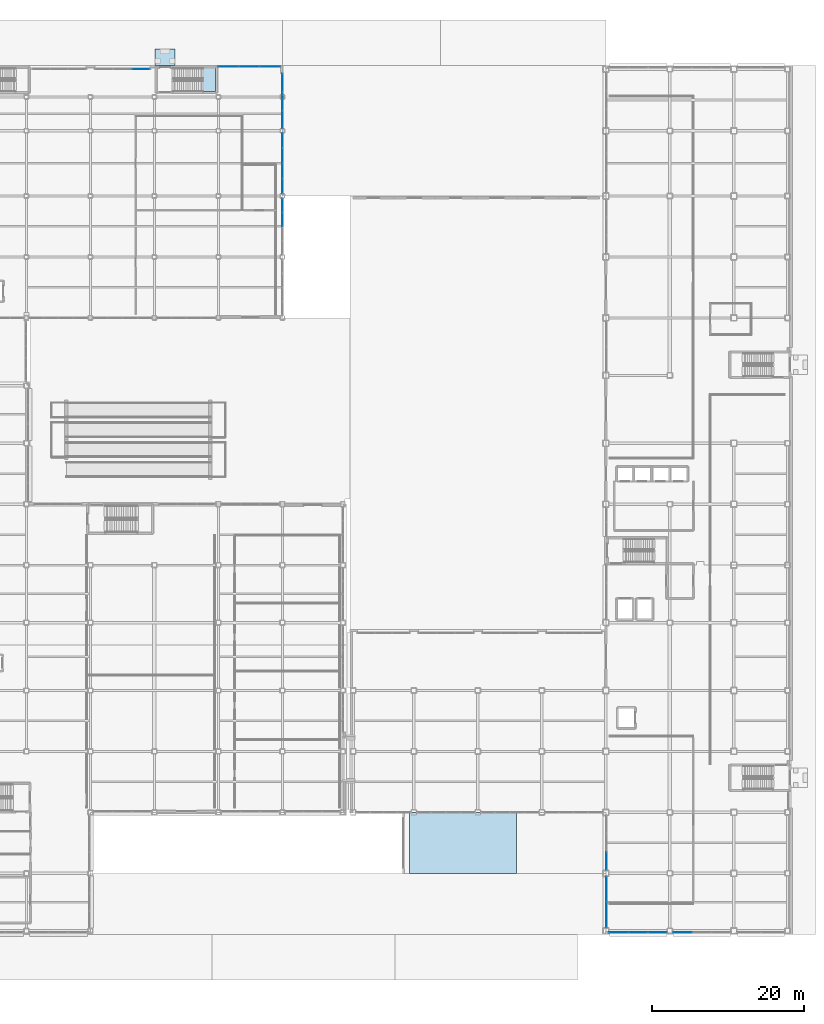
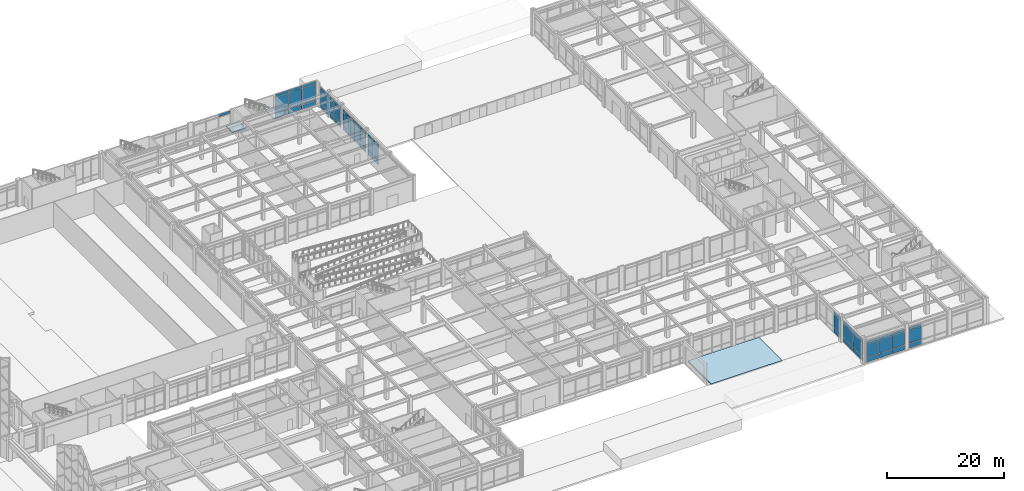
# One storey, part 119 of 165: 58 plates, 3 slabs, 10 elements without a shape of their own.
"""IFC4 building model written with IfcOpenShell, lengths in metres."""

from ifc_helpers import new_model, si_unit, direction, frame, origin, origin_2d, place, context, subcontext, project, spatial, polyline, rectangle, outline, extrude, material, layer, layer_set, type_object, element, aggregate, save


model = new_model("IFC4")

# Units and contexts
model_context = context("Model", 3, precision=1e-05, world=origin(), true_north=direction((0.0, 1.0)))
body_context = subcontext(model_context, "Body", "Model", "MODEL_VIEW")
ifc_project = project(units=[si_unit("LENGTHUNIT", "METRE"), si_unit("AREAUNIT", "SQUARE_METRE"), si_unit("VOLUMEUNIT", "CUBIC_METRE"), si_unit("PLANEANGLEUNIT", "RADIAN"), si_unit("MASSUNIT", "GRAM", prefix="KILO")], contexts=[model_context])

# Site, building, storey
site_placement = place(None, origin())
site = spatial("IfcSite", under=ifc_project, at=site_placement, CompositionType="ELEMENT")
building_placement = place(site_placement, origin())
building = spatial("IfcBuilding", under=site, at=building_placement, Name="Kazehara Bluff Congress Hotel", CompositionType="ELEMENT")
storey_placement = place(building_placement, origin())
storey = spatial("IfcBuildingStorey", under=building, at=storey_placement, Name="L00", CompositionType="ELEMENT", Elevation=0.0)

# Curtain wall, plates
ifc_material_1 = material(Name="Anodised aluminium", Category="aluminium")
ifc_layer_1 = layer(ifc_material_1, 0.159912109375)
ifc_layer_set_1 = layer_set([ifc_layer_1], Name="Anodised aluminium")
curtain_wall_type_1 = type_object("IfcCurtainWallType", Name="TP-CW-40", PredefinedType="NOTDEFINED", material=ifc_layer_set_1)
curtain_wall_1_placement = place(storey_placement, origin())
curtain_wall_1 = element("IfcCurtainWall", 1, at=curtain_wall_1_placement, inside=storey, type_object=curtain_wall_type_1, Name="L00 curtain wall CW-40 CW-V3-L00-X10125-8918", PredefinedType="NOTDEFINED")
ifc_material_2 = material(Name="Insulated low-E double glazing", Category="glass")
ifc_layer_2 = layer(ifc_material_2, 0.031982421875)
ifc_layer_set_2 = layer_set([ifc_layer_2], Name="Insulated low-E double glazing")
plate_type = type_object("IfcPlateType", Name="TP-CWP-02", PredefinedType="CURTAIN_PANEL", material=ifc_layer_set_2)
plate_1_placement = place(storey_placement, frame((101.25, 93.831298828125, 0.06494140625), z_axis=(0.0, 0.0, 1.0), x_axis=(0.0, 1.0, 0.0)))
plate_1 = element("IfcPlate", 2, at=plate_1_placement, type_object=plate_type, Name="CW-40 panel 3.1", PredefinedType="CURTAIN_PANEL", context=body_context, shape_type="SweptSolid", body=[
    extrude(rectangle(XDim=1.79248046875, YDim=0.031982421875, at=origin_2d()), origin(), (0.0, 0.0, 1.0), 0.952392578125),
])
plate_2_placement = place(storey_placement, frame((101.25, 93.831298828125, 1.08251953125), z_axis=(0.0, 0.0, 1.0), x_axis=(0.0, 1.0, 0.0)))
plate_2 = element("IfcPlate", 3, at=plate_2_placement, type_object=plate_type, Name="CW-40 panel 3.2", PredefinedType="CURTAIN_PANEL", context=body_context, shape_type="SweptSolid", body=[
    extrude(rectangle(XDim=1.79248046875, YDim=0.031982421875, at=origin_2d()), origin(), (0.0, 0.0, 1.0), 2.7099609375),
])
plate_3_placement = place(storey_placement, frame((101.25, 93.831298828125, 3.857421875), z_axis=(0.0, 0.0, 1.0), x_axis=(0.0, 1.0, 0.0)))
plate_3 = element("IfcPlate", 4, at=plate_3_placement, type_object=plate_type, Name="CW-40 panel 3.3", PredefinedType="CURTAIN_PANEL", context=body_context, shape_type="SweptSolid", body=[
    extrude(rectangle(XDim=1.79248046875, YDim=0.031982421875, at=origin_2d()), origin(), (0.0, 0.0, 1.0), 0.552490234375),
])
plate_4_placement = place(storey_placement, frame((101.25, 95.67626953125, 0.06494140625), z_axis=(0.0, 0.0, 1.0), x_axis=(0.0, 1.0, 0.0)))
plate_4 = element("IfcPlate", 5, at=plate_4_placement, type_object=plate_type, Name="CW-40 panel 4.1", PredefinedType="CURTAIN_PANEL", context=body_context, shape_type="SweptSolid", body=[
    extrude(rectangle(XDim=1.757568359375, YDim=0.031982421875, at=origin_2d()), origin(), (0.0, 0.0, 1.0), 0.952392578125),
])
plate_5_placement = place(storey_placement, frame((101.25, 95.67626953125, 1.08251953125), z_axis=(0.0, 0.0, 1.0), x_axis=(0.0, 1.0, 0.0)))
plate_5 = element("IfcPlate", 6, at=plate_5_placement, type_object=plate_type, Name="CW-40 panel 4.2", PredefinedType="CURTAIN_PANEL", context=body_context, shape_type="SweptSolid", body=[
    extrude(rectangle(XDim=1.757568359375, YDim=0.031982421875, at=origin_2d()), origin(), (0.0, 0.0, 1.0), 2.7099609375),
])
plate_6_placement = place(storey_placement, frame((101.25, 95.67626953125, 3.857421875), z_axis=(0.0, 0.0, 1.0), x_axis=(0.0, 1.0, 0.0)))
plate_6 = element("IfcPlate", 7, at=plate_6_placement, type_object=plate_type, Name="CW-40 panel 4.3", PredefinedType="CURTAIN_PANEL", context=body_context, shape_type="SweptSolid", body=[
    extrude(rectangle(XDim=1.757568359375, YDim=0.031982421875, at=origin_2d()), origin(), (0.0, 0.0, 1.0), 0.552490234375),
])
aggregate(curtain_wall_1, [plate_1, plate_2, plate_3, plate_4, plate_5, plate_6])

ifc_material_3 = material(Name="Anodised aluminium", Category="aluminium")
ifc_layer_3 = layer(ifc_material_3, 0.159912109375)
ifc_layer_set_3 = layer_set([ifc_layer_3], Name="Anodised aluminium")
curtain_wall_type_2 = type_object("IfcCurtainWallType", Name="TP-CW-41", PredefinedType="NOTDEFINED", material=ifc_layer_set_3)
curtain_wall_2_placement = place(storey_placement, origin())
curtain_wall_2 = element("IfcCurtainWall", 8, at=curtain_wall_2_placement, inside=storey, type_object=curtain_wall_type_2, Name="L00 curtain wall CW-41 CW-V3-L00-X10125-9718", PredefinedType="NOTDEFINED")
plate_7_placement = place(storey_placement, frame((101.25, 98.1923828125, 0.06494140625), z_axis=(0.0, 0.0, 1.0), x_axis=(0.0, 1.0, 0.0)))
plate_7 = element("IfcPlate", 9, at=plate_7_placement, type_object=plate_type, Name="CW-41 panel 1.1", PredefinedType="CURTAIN_PANEL", context=body_context, shape_type="SweptSolid", body=[
    extrude(rectangle(XDim=1.89501953125, YDim=0.031982421875, at=origin_2d()), origin(), (0.0, 0.0, 1.0), 0.952392578125),
])
plate_8_placement = place(storey_placement, frame((101.25, 98.1923828125, 1.08251953125), z_axis=(0.0, 0.0, 1.0), x_axis=(0.0, 1.0, 0.0)))
plate_8 = element("IfcPlate", 10, at=plate_8_placement, type_object=plate_type, Name="CW-41 panel 1.2", PredefinedType="CURTAIN_PANEL", context=body_context, shape_type="SweptSolid", body=[
    extrude(rectangle(XDim=1.89501953125, YDim=0.031982421875, at=origin_2d()), origin(), (0.0, 0.0, 1.0), 2.7099609375),
])
plate_9_placement = place(storey_placement, frame((101.25, 98.1923828125, 3.857421875), z_axis=(0.0, 0.0, 1.0), x_axis=(0.0, 1.0, 0.0)))
plate_9 = element("IfcPlate", 11, at=plate_9_placement, type_object=plate_type, Name="CW-41 panel 1.3", PredefinedType="CURTAIN_PANEL", context=body_context, shape_type="SweptSolid", body=[
    extrude(rectangle(XDim=1.89501953125, YDim=0.031982421875, at=origin_2d()), origin(), (0.0, 0.0, 1.0), 0.552490234375),
])
plate_10_placement = place(storey_placement, frame((101.25, 100.175048828125, 0.06494140625), z_axis=(0.0, 0.0, 1.0), x_axis=(0.0, 1.0, 0.0)))
plate_10 = element("IfcPlate", 12, at=plate_10_placement, type_object=plate_type, Name="CW-41 panel 2.1", PredefinedType="CURTAIN_PANEL", context=body_context, shape_type="SweptSolid", body=[
    extrude(rectangle(XDim=1.929931640625, YDim=0.031982421875, at=origin_2d()), origin(), (0.0, 0.0, 1.0), 0.952392578125),
])
plate_11_placement = place(storey_placement, frame((101.25, 100.175048828125, 1.08251953125), z_axis=(0.0, 0.0, 1.0), x_axis=(0.0, 1.0, 0.0)))
plate_11 = element("IfcPlate", 13, at=plate_11_placement, type_object=plate_type, Name="CW-41 panel 2.2", PredefinedType="CURTAIN_PANEL", context=body_context, shape_type="SweptSolid", body=[
    extrude(rectangle(XDim=1.929931640625, YDim=0.031982421875, at=origin_2d()), origin(), (0.0, 0.0, 1.0), 2.7099609375),
])
plate_12_placement = place(storey_placement, frame((101.25, 100.175048828125, 3.857421875), z_axis=(0.0, 0.0, 1.0), x_axis=(0.0, 1.0, 0.0)))
plate_12 = element("IfcPlate", 14, at=plate_12_placement, type_object=plate_type, Name="CW-41 panel 2.3", PredefinedType="CURTAIN_PANEL", context=body_context, shape_type="SweptSolid", body=[
    extrude(rectangle(XDim=1.929931640625, YDim=0.031982421875, at=origin_2d()), origin(), (0.0, 0.0, 1.0), 0.552490234375),
])
plate_13_placement = place(storey_placement, frame((101.25, 102.175048828125, 0.06494140625), z_axis=(0.0, 0.0, 1.0), x_axis=(0.0, 1.0, 0.0)))
plate_13 = element("IfcPlate", 15, at=plate_13_placement, type_object=plate_type, Name="CW-41 panel 3.1", PredefinedType="CURTAIN_PANEL", context=body_context, shape_type="SweptSolid", body=[
    extrude(rectangle(XDim=1.929931640625, YDim=0.031982421875, at=origin_2d()), origin(), (0.0, 0.0, 1.0), 0.952392578125),
])
plate_14_placement = place(storey_placement, frame((101.25, 102.175048828125, 1.08251953125), z_axis=(0.0, 0.0, 1.0), x_axis=(0.0, 1.0, 0.0)))
plate_14 = element("IfcPlate", 16, at=plate_14_placement, type_object=plate_type, Name="CW-41 panel 3.2", PredefinedType="CURTAIN_PANEL", context=body_context, shape_type="SweptSolid", body=[
    extrude(rectangle(XDim=1.929931640625, YDim=0.031982421875, at=origin_2d()), origin(), (0.0, 0.0, 1.0), 2.7099609375),
])
plate_15_placement = place(storey_placement, frame((101.25, 102.175048828125, 3.857421875), z_axis=(0.0, 0.0, 1.0), x_axis=(0.0, 1.0, 0.0)))
plate_15 = element("IfcPlate", 17, at=plate_15_placement, type_object=plate_type, Name="CW-41 panel 3.3", PredefinedType="CURTAIN_PANEL", context=body_context, shape_type="SweptSolid", body=[
    extrude(rectangle(XDim=1.929931640625, YDim=0.031982421875, at=origin_2d()), origin(), (0.0, 0.0, 1.0), 0.552490234375),
])
plate_16_placement = place(storey_placement, frame((101.25, 104.157470703125, 0.06494140625), z_axis=(0.0, 0.0, 1.0), x_axis=(0.0, 1.0, 0.0)))
plate_16 = element("IfcPlate", 18, at=plate_16_placement, type_object=plate_type, Name="CW-41 panel 4.1", PredefinedType="CURTAIN_PANEL", context=body_context, shape_type="SweptSolid", body=[
    extrude(rectangle(XDim=1.89501953125, YDim=0.031982421875, at=origin_2d()), origin(), (0.0, 0.0, 1.0), 0.952392578125),
])
plate_17_placement = place(storey_placement, frame((101.25, 104.157470703125, 1.08251953125), z_axis=(0.0, 0.0, 1.0), x_axis=(0.0, 1.0, 0.0)))
plate_17 = element("IfcPlate", 19, at=plate_17_placement, type_object=plate_type, Name="CW-41 panel 4.2", PredefinedType="CURTAIN_PANEL", context=body_context, shape_type="SweptSolid", body=[
    extrude(rectangle(XDim=1.89501953125, YDim=0.031982421875, at=origin_2d()), origin(), (0.0, 0.0, 1.0), 2.7099609375),
])
plate_18_placement = place(storey_placement, frame((101.25, 104.157470703125, 3.857421875), z_axis=(0.0, 0.0, 1.0), x_axis=(0.0, 1.0, 0.0)))
plate_18 = element("IfcPlate", 20, at=plate_18_placement, type_object=plate_type, Name="CW-41 panel 4.3", PredefinedType="CURTAIN_PANEL", context=body_context, shape_type="SweptSolid", body=[
    extrude(rectangle(XDim=1.89501953125, YDim=0.031982421875, at=origin_2d()), origin(), (0.0, 0.0, 1.0), 0.552490234375),
])
aggregate(curtain_wall_2, [plate_7, plate_8, plate_9, plate_10, plate_11, plate_12, plate_13, plate_14, plate_15, plate_16, plate_17, plate_18])

ifc_material_4 = material(Name="Anodised aluminium", Category="aluminium")
ifc_layer_4 = layer(ifc_material_4, 0.159912109375)
ifc_layer_set_4 = layer_set([ifc_layer_4], Name="Anodised aluminium")
curtain_wall_type_3 = type_object("IfcCurtainWallType", Name="TP-CW-42", PredefinedType="NOTDEFINED", material=ifc_layer_set_4)
curtain_wall_3_placement = place(storey_placement, origin())
curtain_wall_3 = element("IfcCurtainWall", 21, at=curtain_wall_3_placement, inside=storey, type_object=curtain_wall_type_3, Name="L00 curtain wall CW-42 CW-V3-L00-X10125-10572", PredefinedType="NOTDEFINED")
plate_19_placement = place(storey_placement, frame((101.25, 106.955078125, 0.06494140625), z_axis=(0.0, 0.0, 1.0), x_axis=(0.0, 1.0, 0.0)))
plate_19 = element("IfcPlate", 22, at=plate_19_placement, type_object=plate_type, Name="CW-42 panel 1.1", PredefinedType="CURTAIN_PANEL", context=body_context, shape_type="SweptSolid", body=[
    extrude(rectangle(XDim=2.320068359375, YDim=0.031982421875, at=origin_2d()), origin(), (0.0, 0.0, 1.0), 0.952392578125),
])
plate_20_placement = place(storey_placement, frame((101.25, 106.955078125, 1.08251953125), z_axis=(0.0, 0.0, 1.0), x_axis=(0.0, 1.0, 0.0)))
plate_20 = element("IfcPlate", 23, at=plate_20_placement, type_object=plate_type, Name="CW-42 panel 1.2", PredefinedType="CURTAIN_PANEL", context=body_context, shape_type="SweptSolid", body=[
    extrude(rectangle(XDim=2.320068359375, YDim=0.031982421875, at=origin_2d()), origin(), (0.0, 0.0, 1.0), 2.7099609375),
])
plate_21_placement = place(storey_placement, frame((101.25, 106.955078125, 3.857421875), z_axis=(0.0, 0.0, 1.0), x_axis=(0.0, 1.0, 0.0)))
plate_21 = element("IfcPlate", 24, at=plate_21_placement, type_object=plate_type, Name="CW-42 panel 1.3", PredefinedType="CURTAIN_PANEL", context=body_context, shape_type="SweptSolid", body=[
    extrude(rectangle(XDim=2.320068359375, YDim=0.031982421875, at=origin_2d()), origin(), (0.0, 0.0, 1.0), 0.552490234375),
])
plate_22_placement = place(storey_placement, frame((101.25, 109.362548828125, 0.06494140625), z_axis=(0.0, 0.0, 1.0), x_axis=(0.0, 1.0, 0.0)))
plate_22 = element("IfcPlate", 25, at=plate_22_placement, type_object=plate_type, Name="CW-42 panel 2.1", PredefinedType="CURTAIN_PANEL", context=body_context, shape_type="SweptSolid", body=[
    extrude(rectangle(XDim=2.35498046875, YDim=0.031982421875, at=origin_2d()), origin(), (0.0, 0.0, 1.0), 0.952392578125),
])
plate_23_placement = place(storey_placement, frame((101.25, 109.362548828125, 1.08251953125), z_axis=(0.0, 0.0, 1.0), x_axis=(0.0, 1.0, 0.0)))
plate_23 = element("IfcPlate", 26, at=plate_23_placement, type_object=plate_type, Name="CW-42 panel 2.2", PredefinedType="CURTAIN_PANEL", context=body_context, shape_type="SweptSolid", body=[
    extrude(rectangle(XDim=2.35498046875, YDim=0.031982421875, at=origin_2d()), origin(), (0.0, 0.0, 1.0), 2.7099609375),
])
plate_24_placement = place(storey_placement, frame((101.25, 109.362548828125, 3.857421875), z_axis=(0.0, 0.0, 1.0), x_axis=(0.0, 1.0, 0.0)))
plate_24 = element("IfcPlate", 27, at=plate_24_placement, type_object=plate_type, Name="CW-42 panel 2.3", PredefinedType="CURTAIN_PANEL", context=body_context, shape_type="SweptSolid", body=[
    extrude(rectangle(XDim=2.35498046875, YDim=0.031982421875, at=origin_2d()), origin(), (0.0, 0.0, 1.0), 0.552490234375),
])
plate_25_placement = place(storey_placement, frame((101.25, 111.77001953125, 0.06494140625), z_axis=(0.0, 0.0, 1.0), x_axis=(0.0, 1.0, 0.0)))
plate_25 = element("IfcPlate", 28, at=plate_25_placement, type_object=plate_type, Name="CW-42 panel 3.1", PredefinedType="CURTAIN_PANEL", context=body_context, shape_type="SweptSolid", body=[
    extrude(rectangle(XDim=2.320068359375, YDim=0.031982421875, at=origin_2d()), origin(), (0.0, 0.0, 1.0), 0.952392578125),
])
plate_26_placement = place(storey_placement, frame((101.25, 111.77001953125, 1.08251953125), z_axis=(0.0, 0.0, 1.0), x_axis=(0.0, 1.0, 0.0)))
plate_26 = element("IfcPlate", 29, at=plate_26_placement, type_object=plate_type, Name="CW-42 panel 3.2", PredefinedType="CURTAIN_PANEL", context=body_context, shape_type="SweptSolid", body=[
    extrude(rectangle(XDim=2.320068359375, YDim=0.031982421875, at=origin_2d()), origin(), (0.0, 0.0, 1.0), 2.7099609375),
])
plate_27_placement = place(storey_placement, frame((101.25, 111.77001953125, 3.857421875), z_axis=(0.0, 0.0, 1.0), x_axis=(0.0, 1.0, 0.0)))
plate_27 = element("IfcPlate", 30, at=plate_27_placement, type_object=plate_type, Name="CW-42 panel 3.3", PredefinedType="CURTAIN_PANEL", context=body_context, shape_type="SweptSolid", body=[
    extrude(rectangle(XDim=2.320068359375, YDim=0.031982421875, at=origin_2d()), origin(), (0.0, 0.0, 1.0), 0.552490234375),
])
aggregate(curtain_wall_3, [plate_19, plate_20, plate_21, plate_22, plate_23, plate_24, plate_25, plate_26, plate_27])

# Curtain wall, plate
ifc_material_5 = material(Name="Anodised aluminium", Category="aluminium")
ifc_layer_5 = layer(ifc_material_5, 0.159912109375)
ifc_layer_set_5 = layer_set([ifc_layer_5], Name="Anodised aluminium")
curtain_wall_type_4 = type_object("IfcCurtainWallType", Name="TP-CW-46", PredefinedType="NOTDEFINED", material=ifc_layer_set_5)
curtain_wall_4_placement = place(storey_placement, origin())
curtain_wall_4 = element("IfcCurtainWall", 31, at=curtain_wall_4_placement, inside=storey, type_object=curtain_wall_type_4, Name="L00 curtain wall CW-46 CW-V3-L00-Y11355-7660", PredefinedType="NOTDEFINED")
plate_28_placement = place(storey_placement, frame((82.665771484375, 113.550048828125, 4.517578125), z_axis=(0.0, 0.0, 1.0), x_axis=(1.0, 0.0, 0.0)))
plate_28 = element("IfcPlate", 32, at=plate_28_placement, type_object=plate_type, Name="CW-46 panel 3.3", PredefinedType="CURTAIN_PANEL", context=body_context, shape_type="SweptSolid", body=[
    extrude(rectangle(XDim=2.328369140625, YDim=0.031982421875, at=origin_2d()), origin(), (0.0, 0.0, 1.0), 0.552490234375),
])
aggregate(curtain_wall_4, [plate_28])

# Curtain wall, plates
ifc_material_6 = material(Name="Anodised aluminium", Category="aluminium")
ifc_layer_6 = layer(ifc_material_6, 0.159912109375)
ifc_layer_set_6 = layer_set([ifc_layer_6], Name="Anodised aluminium")
curtain_wall_type_5 = type_object("IfcCurtainWallType", Name="TP-CW-98", PredefinedType="NOTDEFINED", material=ifc_layer_set_6)
curtain_wall_5_placement = place(storey_placement, origin())
curtain_wall_5 = element("IfcCurtainWall", 33, at=curtain_wall_5_placement, inside=storey, type_object=curtain_wall_type_5, Name="L00 curtain wall CW-98 CW-ENC-V3-L00-9689-11388", PredefinedType="NOTDEFINED")
plate_29_placement = place(storey_placement, frame((94.154052734375, 113.8798828125, 0.06494140625), z_axis=(0.0, 0.0, 1.0), x_axis=(1.0, 0.0, 0.0)))
plate_29 = element("IfcPlate", 34, at=plate_29_placement, type_object=plate_type, Name="CW-98 panel 1.1", PredefinedType="CURTAIN_PANEL", context=body_context, shape_type="SweptSolid", body=[
    extrude(rectangle(XDim=2.6484375, YDim=0.031982421875, at=origin_2d()), origin(), (0.0, 0.0, 1.0), 0.952392578125),
])
plate_30_placement = place(storey_placement, frame((94.154052734375, 113.8798828125, 1.08251953125), z_axis=(0.0, 0.0, 1.0), x_axis=(1.0, 0.0, 0.0)))
plate_30 = element("IfcPlate", 35, at=plate_30_placement, type_object=plate_type, Name="CW-98 panel 1.2", PredefinedType="CURTAIN_PANEL", context=body_context, shape_type="SweptSolid", body=[
    extrude(rectangle(XDim=2.6484375, YDim=0.031982421875, at=origin_2d()), origin(), (0.0, 0.0, 1.0), 3.3701171875),
])
plate_31_placement = place(storey_placement, frame((94.154052734375, 113.8798828125, 4.517578125), z_axis=(0.0, 0.0, 1.0), x_axis=(1.0, 0.0, 0.0)))
plate_31 = element("IfcPlate", 36, at=plate_31_placement, type_object=plate_type, Name="CW-98 panel 1.3", PredefinedType="CURTAIN_PANEL", context=body_context, shape_type="SweptSolid", body=[
    extrude(rectangle(XDim=2.6484375, YDim=0.031982421875, at=origin_2d()), origin(), (0.0, 0.0, 1.0), 0.552490234375),
])
plate_32_placement = place(storey_placement, frame((96.889892578125, 113.8798828125, 0.06494140625), z_axis=(0.0, 0.0, 1.0), x_axis=(1.0, 0.0, 0.0)))
plate_32 = element("IfcPlate", 37, at=plate_32_placement, type_object=plate_type, Name="CW-98 panel 2.1", PredefinedType="CURTAIN_PANEL", context=body_context, shape_type="SweptSolid", body=[
    extrude(rectangle(XDim=2.683349609375, YDim=0.031982421875, at=origin_2d()), origin(), (0.0, 0.0, 1.0), 0.952392578125),
])
plate_33_placement = place(storey_placement, frame((96.889892578125, 113.8798828125, 1.08251953125), z_axis=(0.0, 0.0, 1.0), x_axis=(1.0, 0.0, 0.0)))
plate_33 = element("IfcPlate", 38, at=plate_33_placement, type_object=plate_type, Name="CW-98 panel 2.2", PredefinedType="CURTAIN_PANEL", context=body_context, shape_type="SweptSolid", body=[
    extrude(rectangle(XDim=2.683349609375, YDim=0.031982421875, at=origin_2d()), origin(), (0.0, 0.0, 1.0), 3.3701171875),
])
plate_34_placement = place(storey_placement, frame((96.889892578125, 113.8798828125, 4.517578125), z_axis=(0.0, 0.0, 1.0), x_axis=(1.0, 0.0, 0.0)))
plate_34 = element("IfcPlate", 39, at=plate_34_placement, type_object=plate_type, Name="CW-98 panel 2.3", PredefinedType="CURTAIN_PANEL", context=body_context, shape_type="SweptSolid", body=[
    extrude(rectangle(XDim=2.683349609375, YDim=0.031982421875, at=origin_2d()), origin(), (0.0, 0.0, 1.0), 0.552490234375),
])
plate_35_placement = place(storey_placement, frame((99.625732421875, 113.8798828125, 0.06494140625), z_axis=(0.0, 0.0, 1.0), x_axis=(1.0, 0.0, 0.0)))
plate_35 = element("IfcPlate", 40, at=plate_35_placement, type_object=plate_type, Name="CW-98 panel 3.1", PredefinedType="CURTAIN_PANEL", context=body_context, shape_type="SweptSolid", body=[
    extrude(rectangle(XDim=2.6484375, YDim=0.031982421875, at=origin_2d()), origin(), (0.0, 0.0, 1.0), 0.952392578125),
])
plate_36_placement = place(storey_placement, frame((99.625732421875, 113.8798828125, 1.08251953125), z_axis=(0.0, 0.0, 1.0), x_axis=(1.0, 0.0, 0.0)))
plate_36 = element("IfcPlate", 41, at=plate_36_placement, type_object=plate_type, Name="CW-98 panel 3.2", PredefinedType="CURTAIN_PANEL", context=body_context, shape_type="SweptSolid", body=[
    extrude(rectangle(XDim=2.6484375, YDim=0.031982421875, at=origin_2d()), origin(), (0.0, 0.0, 1.0), 3.3701171875),
])
plate_37_placement = place(storey_placement, frame((99.625732421875, 113.8798828125, 4.517578125), z_axis=(0.0, 0.0, 1.0), x_axis=(1.0, 0.0, 0.0)))
plate_37 = element("IfcPlate", 42, at=plate_37_placement, type_object=plate_type, Name="CW-98 panel 3.3", PredefinedType="CURTAIN_PANEL", context=body_context, shape_type="SweptSolid", body=[
    extrude(rectangle(XDim=2.6484375, YDim=0.031982421875, at=origin_2d()), origin(), (0.0, 0.0, 1.0), 0.552490234375),
])
aggregate(curtain_wall_5, [plate_29, plate_30, plate_31, plate_32, plate_33, plate_34, plate_35, plate_36, plate_37])

ifc_material_7 = material(Name="Anodised aluminium", Category="aluminium")
ifc_layer_7 = layer(ifc_material_7, 0.159912109375)
ifc_layer_set_7 = layer_set([ifc_layer_7], Name="Anodised aluminium")
curtain_wall_type_6 = type_object("IfcCurtainWallType", Name="TP-CW-19", PredefinedType="NOTDEFINED", material=ifc_layer_set_7)
curtain_wall_6_placement = place(storey_placement, origin())
curtain_wall_6 = element("IfcCurtainWall", 43, at=curtain_wall_6_placement, inside=storey, type_object=curtain_wall_type_6, Name="L00 curtain wall CW-19 CW-ENC-V5-L00-14793-22", PredefinedType="NOTDEFINED")
plate_38_placement = place(storey_placement, frame((150.45751953125, 0.219970703125, 0.06494140625), z_axis=(0.0, 0.0, 1.0), x_axis=(-1.0, 0.0, 0.0)))
plate_38 = element("IfcPlate", 44, at=plate_38_placement, type_object=plate_type, Name="CW-19 panel 1.1", PredefinedType="CURTAIN_PANEL", context=body_context, shape_type="SweptSolid", body=[
    extrude(rectangle(XDim=2.445068359375, YDim=0.031982421875, at=origin_2d()), origin(), (0.0, 0.0, 1.0), 0.952392578125),
])
plate_39_placement = place(storey_placement, frame((150.45751953125, 0.219970703125, 1.08251953125), z_axis=(0.0, 0.0, 1.0), x_axis=(-1.0, 0.0, 0.0)))
plate_39 = element("IfcPlate", 45, at=plate_39_placement, type_object=plate_type, Name="CW-19 panel 1.2", PredefinedType="CURTAIN_PANEL", context=body_context, shape_type="SweptSolid", body=[
    extrude(rectangle(XDim=2.445068359375, YDim=0.031982421875, at=origin_2d()), origin(), (0.0, 0.0, 1.0), 2.7099609375),
])
plate_40_placement = place(storey_placement, frame((150.45751953125, 0.219970703125, 3.857421875), z_axis=(0.0, 0.0, 1.0), x_axis=(-1.0, 0.0, 0.0)))
plate_40 = element("IfcPlate", 46, at=plate_40_placement, type_object=plate_type, Name="CW-19 panel 1.3", PredefinedType="CURTAIN_PANEL", context=body_context, shape_type="SweptSolid", body=[
    extrude(rectangle(XDim=2.445068359375, YDim=0.031982421875, at=origin_2d()), origin(), (0.0, 0.0, 1.0), 0.552490234375),
])
plate_41_placement = place(storey_placement, frame((147.925048828125, 0.219970703125, 0.06494140625), z_axis=(0.0, 0.0, 1.0), x_axis=(-1.0, 0.0, 0.0)))
plate_41 = element("IfcPlate", 47, at=plate_41_placement, type_object=plate_type, Name="CW-19 panel 2.1", PredefinedType="CURTAIN_PANEL", context=body_context, shape_type="SweptSolid", body=[
    extrude(rectangle(XDim=2.47998046875, YDim=0.031982421875, at=origin_2d()), origin(), (0.0, 0.0, 1.0), 0.952392578125),
])
plate_42_placement = place(storey_placement, frame((147.925048828125, 0.219970703125, 1.08251953125), z_axis=(0.0, 0.0, 1.0), x_axis=(-1.0, 0.0, 0.0)))
plate_42 = element("IfcPlate", 48, at=plate_42_placement, type_object=plate_type, Name="CW-19 panel 2.2", PredefinedType="CURTAIN_PANEL", context=body_context, shape_type="SweptSolid", body=[
    extrude(rectangle(XDim=2.47998046875, YDim=0.031982421875, at=origin_2d()), origin(), (0.0, 0.0, 1.0), 2.7099609375),
])
plate_43_placement = place(storey_placement, frame((147.925048828125, 0.219970703125, 3.857421875), z_axis=(0.0, 0.0, 1.0), x_axis=(-1.0, 0.0, 0.0)))
plate_43 = element("IfcPlate", 49, at=plate_43_placement, type_object=plate_type, Name="CW-19 panel 2.3", PredefinedType="CURTAIN_PANEL", context=body_context, shape_type="SweptSolid", body=[
    extrude(rectangle(XDim=2.47998046875, YDim=0.031982421875, at=origin_2d()), origin(), (0.0, 0.0, 1.0), 0.552490234375),
])
plate_44_placement = place(storey_placement, frame((145.392578125, 0.219970703125, 0.06494140625), z_axis=(0.0, 0.0, 1.0), x_axis=(-1.0, 0.0, 0.0)))
plate_44 = element("IfcPlate", 50, at=plate_44_placement, type_object=plate_type, Name="CW-19 panel 3.1", PredefinedType="CURTAIN_PANEL", context=body_context, shape_type="SweptSolid", body=[
    extrude(rectangle(XDim=2.445068359375, YDim=0.031982421875, at=origin_2d()), origin(), (0.0, 0.0, 1.0), 0.952392578125),
])
plate_45_placement = place(storey_placement, frame((145.392578125, 0.219970703125, 1.08251953125), z_axis=(0.0, 0.0, 1.0), x_axis=(-1.0, 0.0, 0.0)))
plate_45 = element("IfcPlate", 51, at=plate_45_placement, type_object=plate_type, Name="CW-19 panel 3.2", PredefinedType="CURTAIN_PANEL", context=body_context, shape_type="SweptSolid", body=[
    extrude(rectangle(XDim=2.445068359375, YDim=0.031982421875, at=origin_2d()), origin(), (0.0, 0.0, 1.0), 2.7099609375),
])
plate_46_placement = place(storey_placement, frame((145.392578125, 0.219970703125, 3.857421875), z_axis=(0.0, 0.0, 1.0), x_axis=(-1.0, 0.0, 0.0)))
plate_46 = element("IfcPlate", 52, at=plate_46_placement, type_object=plate_type, Name="CW-19 panel 3.3", PredefinedType="CURTAIN_PANEL", context=body_context, shape_type="SweptSolid", body=[
    extrude(rectangle(XDim=2.445068359375, YDim=0.031982421875, at=origin_2d()), origin(), (0.0, 0.0, 1.0), 0.552490234375),
])
aggregate(curtain_wall_6, [plate_38, plate_39, plate_40, plate_41, plate_42, plate_43, plate_44, plate_45, plate_46])

curtain_wall_7_placement = place(storey_placement, origin())
curtain_wall_7 = element("IfcCurtainWall", 53, at=curtain_wall_7_placement, inside=storey, type_object=curtain_wall_type_6, Name="L00 curtain wall CW-19 CW-ENC-V5-L00-15627-22", PredefinedType="NOTDEFINED")
plate_47_placement = place(storey_placement, frame((153.742431640625, 0.219970703125, 0.06494140625), z_axis=(0.0, 0.0, 1.0), x_axis=(-1.0, 0.0, 0.0)))
plate_47 = element("IfcPlate", 54, at=plate_47_placement, type_object=plate_type, Name="CW-19 panel 3.1", PredefinedType="CURTAIN_PANEL", context=body_context, shape_type="SweptSolid", body=[
    extrude(rectangle(XDim=2.445068359375, YDim=0.031982421875, at=origin_2d()), origin(), (0.0, 0.0, 1.0), 0.952392578125),
])
plate_48_placement = place(storey_placement, frame((153.742431640625, 0.219970703125, 1.08251953125), z_axis=(0.0, 0.0, 1.0), x_axis=(-1.0, 0.0, 0.0)))
plate_48 = element("IfcPlate", 55, at=plate_48_placement, type_object=plate_type, Name="CW-19 panel 3.2", PredefinedType="CURTAIN_PANEL", context=body_context, shape_type="SweptSolid", body=[
    extrude(rectangle(XDim=2.445068359375, YDim=0.031982421875, at=origin_2d()), origin(), (0.0, 0.0, 1.0), 2.7099609375),
])
plate_49_placement = place(storey_placement, frame((153.742431640625, 0.219970703125, 3.857421875), z_axis=(0.0, 0.0, 1.0), x_axis=(-1.0, 0.0, 0.0)))
plate_49 = element("IfcPlate", 56, at=plate_49_placement, type_object=plate_type, Name="CW-19 panel 3.3", PredefinedType="CURTAIN_PANEL", context=body_context, shape_type="SweptSolid", body=[
    extrude(rectangle(XDim=2.445068359375, YDim=0.031982421875, at=origin_2d()), origin(), (0.0, 0.0, 1.0), 0.552490234375),
])
aggregate(curtain_wall_7, [plate_47, plate_48, plate_49])

ifc_material_8 = material(Name="Anodised aluminium", Category="aluminium")
ifc_layer_8 = layer(ifc_material_8, 0.159912109375)
ifc_layer_set_8 = layer_set([ifc_layer_8], Name="Anodised aluminium")
curtain_wall_type_7 = type_object("IfcCurtainWallType", Name="TP-CW-103", PredefinedType="NOTDEFINED", material=ifc_layer_set_8)
curtain_wall_8_placement = place(storey_placement, origin())
curtain_wall_8 = element("IfcCurtainWall", 57, at=curtain_wall_8_placement, inside=storey, type_object=curtain_wall_type_7, Name="L00 curtain wall CW-103 CW-ENC-V5-L00-14380-422", PredefinedType="NOTDEFINED")
plate_50_placement = place(storey_placement, frame((143.800048828125, 2.554931640625, 0.06494140625), z_axis=(0.0, 0.0, 1.0), x_axis=(0.0, 1.0, 0.0)))
plate_50 = element("IfcPlate", 58, at=plate_50_placement, type_object=plate_type, Name="CW-103 panel 1.1", PredefinedType="CURTAIN_PANEL", context=body_context, shape_type="SweptSolid", body=[
    extrude(rectangle(XDim=3.27001953125, YDim=0.031982421875, at=origin_2d()), origin(), (0.0, 0.0, 1.0), 0.952392578125),
])
plate_51_placement = place(storey_placement, frame((143.800048828125, 2.554931640625, 1.08251953125), z_axis=(0.0, 0.0, 1.0), x_axis=(0.0, 1.0, 0.0)))
plate_51 = element("IfcPlate", 59, at=plate_51_placement, type_object=plate_type, Name="CW-103 panel 1.2", PredefinedType="CURTAIN_PANEL", context=body_context, shape_type="SweptSolid", body=[
    extrude(rectangle(XDim=3.27001953125, YDim=0.031982421875, at=origin_2d()), origin(), (0.0, 0.0, 1.0), 2.81005859375),
])
plate_52_placement = place(storey_placement, frame((143.800048828125, 2.554931640625, 3.95751953125), z_axis=(0.0, 0.0, 1.0), x_axis=(0.0, 1.0, 0.0)))
plate_52 = element("IfcPlate", 60, at=plate_52_placement, type_object=plate_type, Name="CW-103 panel 1.3", PredefinedType="CURTAIN_PANEL", context=body_context, shape_type="SweptSolid", body=[
    extrude(rectangle(XDim=3.27001953125, YDim=0.031982421875, at=origin_2d()), origin(), (0.0, 0.0, 1.0), 0.552490234375),
])
plate_53_placement = place(storey_placement, frame((143.800048828125, 5.89501953125, 0.06494140625), z_axis=(0.0, 0.0, 1.0), x_axis=(0.0, 1.0, 0.0)))
plate_53 = element("IfcPlate", 61, at=plate_53_placement, type_object=plate_type, Name="CW-103 panel 2.1", PredefinedType="CURTAIN_PANEL", context=body_context, shape_type="SweptSolid", body=[
    extrude(rectangle(XDim=3.27001953125, YDim=0.031982421875, at=origin_2d()), origin(), (0.0, 0.0, 1.0), 0.952392578125),
])
plate_54_placement = place(storey_placement, frame((143.800048828125, 5.89501953125, 1.08251953125), z_axis=(0.0, 0.0, 1.0), x_axis=(0.0, 1.0, 0.0)))
plate_54 = element("IfcPlate", 62, at=plate_54_placement, type_object=plate_type, Name="CW-103 panel 2.2", PredefinedType="CURTAIN_PANEL", context=body_context, shape_type="SweptSolid", body=[
    extrude(rectangle(XDim=3.27001953125, YDim=0.031982421875, at=origin_2d()), origin(), (0.0, 0.0, 1.0), 2.81005859375),
])
plate_55_placement = place(storey_placement, frame((143.800048828125, 5.89501953125, 3.95751953125), z_axis=(0.0, 0.0, 1.0), x_axis=(0.0, 1.0, 0.0)))
plate_55 = element("IfcPlate", 63, at=plate_55_placement, type_object=plate_type, Name="CW-103 panel 2.3", PredefinedType="CURTAIN_PANEL", context=body_context, shape_type="SweptSolid", body=[
    extrude(rectangle(XDim=3.27001953125, YDim=0.031982421875, at=origin_2d()), origin(), (0.0, 0.0, 1.0), 0.552490234375),
])
aggregate(curtain_wall_8, [plate_50, plate_51, plate_52, plate_53, plate_54, plate_55])

ifc_material_9 = material(Name="Anodised aluminium", Category="aluminium")
ifc_layer_9 = layer(ifc_material_9, 0.159912109375)
ifc_layer_set_9 = layer_set([ifc_layer_9], Name="Anodised aluminium")
curtain_wall_type_8 = type_object("IfcCurtainWallType", Name="TP-CW-104", PredefinedType="NOTDEFINED", material=ifc_layer_set_9)
curtain_wall_9_placement = place(storey_placement, origin())
curtain_wall_9 = element("IfcCurtainWall", 64, at=curtain_wall_9_placement, inside=storey, type_object=curtain_wall_type_8, Name="L00 curtain wall CW-104 CW-ENC-V5-L00-14380-1200", PredefinedType="NOTDEFINED")
plate_56_placement = place(storey_placement, frame((143.800048828125, 9.617431640625, 0.06494140625), z_axis=(0.0, 0.0, 1.0), x_axis=(0.0, 1.0, 0.0)))
plate_56 = element("IfcPlate", 65, at=plate_56_placement, type_object=plate_type, Name="CW-104 panel 1.1", PredefinedType="CURTAIN_PANEL", context=body_context, shape_type="SweptSolid", body=[
    extrude(rectangle(XDim=2.294921875, YDim=0.031982421875, at=origin_2d()), origin(), (0.0, 0.0, 1.0), 0.952392578125),
])
plate_57_placement = place(storey_placement, frame((143.800048828125, 9.617431640625, 1.08251953125), z_axis=(0.0, 0.0, 1.0), x_axis=(0.0, 1.0, 0.0)))
plate_57 = element("IfcPlate", 66, at=plate_57_placement, type_object=plate_type, Name="CW-104 panel 1.2", PredefinedType="CURTAIN_PANEL", context=body_context, shape_type="SweptSolid", body=[
    extrude(rectangle(XDim=2.294921875, YDim=0.031982421875, at=origin_2d()), origin(), (0.0, 0.0, 1.0), 2.81005859375),
])
plate_58_placement = place(storey_placement, frame((143.800048828125, 9.617431640625, 3.95751953125), z_axis=(0.0, 0.0, 1.0), x_axis=(0.0, 1.0, 0.0)))
plate_58 = element("IfcPlate", 67, at=plate_58_placement, type_object=plate_type, Name="CW-104 panel 1.3", PredefinedType="CURTAIN_PANEL", context=body_context, shape_type="SweptSolid", body=[
    extrude(rectangle(XDim=2.294921875, YDim=0.031982421875, at=origin_2d()), origin(), (0.0, 0.0, 1.0), 0.552490234375),
])
aggregate(curtain_wall_9, [plate_56, plate_57, plate_58])

# Slabs
ifc_material_10 = material(Name="Concrete C36/45", Category="concrete")
ifc_layer_10 = layer(ifc_material_10, 0.25)
ifc_layer_set_10 = layer_set([ifc_layer_10], Name="Concrete C36/45")
slab_type_1 = type_object("IfcSlabType", Name="TP-SL-250", PredefinedType="FLOOR", material=ifc_layer_set_10)
slab_1_placement = place(storey_placement, frame((0.0, 0.0, -0.25)))
element("IfcSlab", 68, at=slab_1_placement, inside=storey, type_object=slab_type_1, Name="Escape Stair ST-07 exterior exit threshold slab", PredefinedType="FLOOR", context=body_context, shape_type="SweptSolid", body=[
    extrude(outline(polyline([(84.550048828125, 114.02001953125), (87.14990234375, 114.02001953125), (87.14990234375, 116.199951171875), (84.550048828125, 116.199951171875), (84.550048828125, 114.02001953125)])), origin(), (0.0, 0.0, 1.0), 0.25),
])
ifc_material_11 = material(Name="Concrete C36/45", Category="concrete")
ifc_layer_11 = layer(ifc_material_11, 0.260009765625)
ifc_layer_set_11 = layer_set([ifc_layer_11], Name="Concrete C36/45")
slab_type_2 = type_object("IfcSlabType", Name="TP-SL-GND", PredefinedType="FLOOR", material=ifc_layer_set_11)
slab_2_placement = place(storey_placement, frame((0.0, 0.0, -0.260009765625)))
element("IfcSlab", 69, at=slab_2_placement, inside=storey, type_object=slab_type_2, Name="Vehicle ramp exterior driveway apron", PredefinedType="FLOOR", context=body_context, shape_type="SweptSolid", body=[
    extrude(outline(polyline([(117.949951171875, 8.0), (132.0, 8.0), (132.0, 16.0), (117.949951171875, 16.0), (117.949951171875, 8.0)])), origin(), (0.0, 0.0, 1.0), 0.260009765625),
])

# Stair, slab
ifc_material_12 = material(Name="Concrete C36/45", Category="concrete")
stair_type = type_object("IfcStairType", Name="TP-ST-T03", PredefinedType="HALF_TURN_STAIR", material=ifc_material_12)
stair_placement = place(storey_placement, origin())
stair = element("IfcStair", 70, at=stair_placement, inside=storey, type_object=stair_type, Name="L00 Escape stair ST-07", PredefinedType="HALF_TURN_STAIR")
ifc_material_13 = material(Name="Concrete C36/45", Category="concrete")
ifc_layer_12 = layer(ifc_material_13, 0.199951171875)
ifc_layer_set_12 = layer_set([ifc_layer_12], Name="Concrete C36/45")
slab_type_3 = type_object("IfcSlabType", Name="TP-SLD-200", PredefinedType="LANDING", material=ifc_layer_set_12)
slab_3_placement = place(storey_placement, frame((0.0, 0.0, 2.5)))
slab_3 = element("IfcSlab", 71, at=slab_3_placement, type_object=slab_type_3, Name="ST-07 landing 1", PredefinedType="LANDING", context=body_context, shape_type="SweptSolid", body=[
    extrude(outline(polyline([(90.820068359375, 110.60009765625), (92.5, 110.60009765625), (92.5, 113.699951171875), (90.820068359375, 113.699951171875), (90.820068359375, 110.60009765625)])), origin(), (0.0, 0.0, 1.0), 0.199951171875),
])
aggregate(stair, [slab_3])

save(model, "model.ifc")
